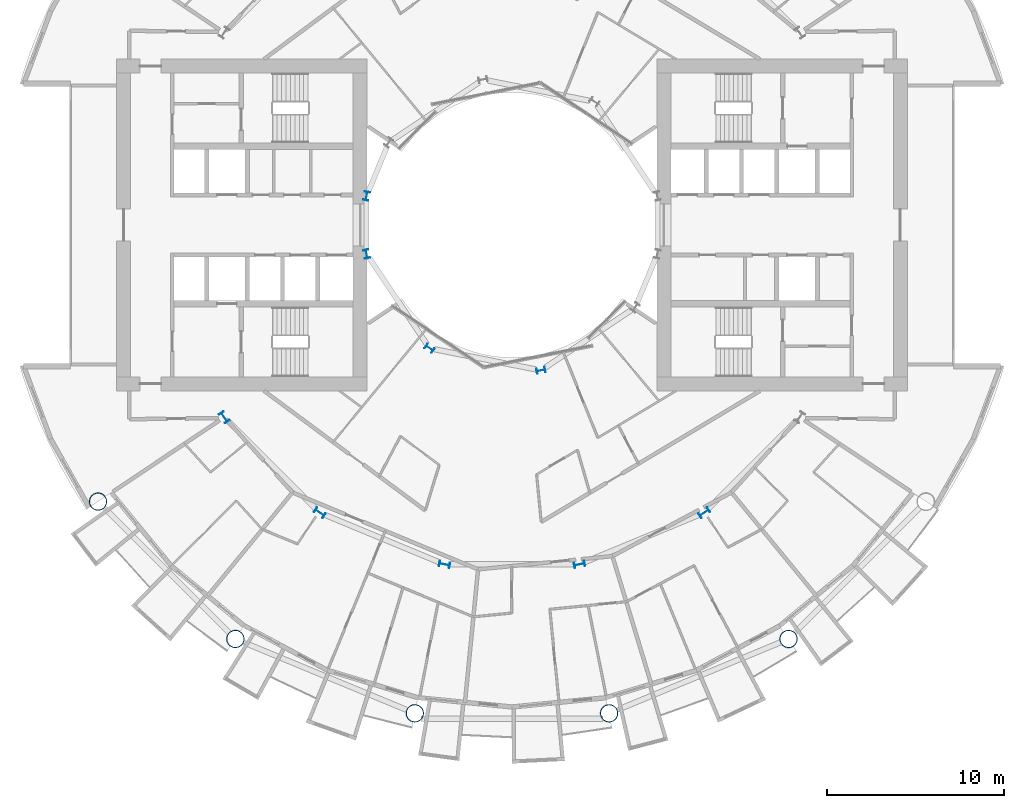
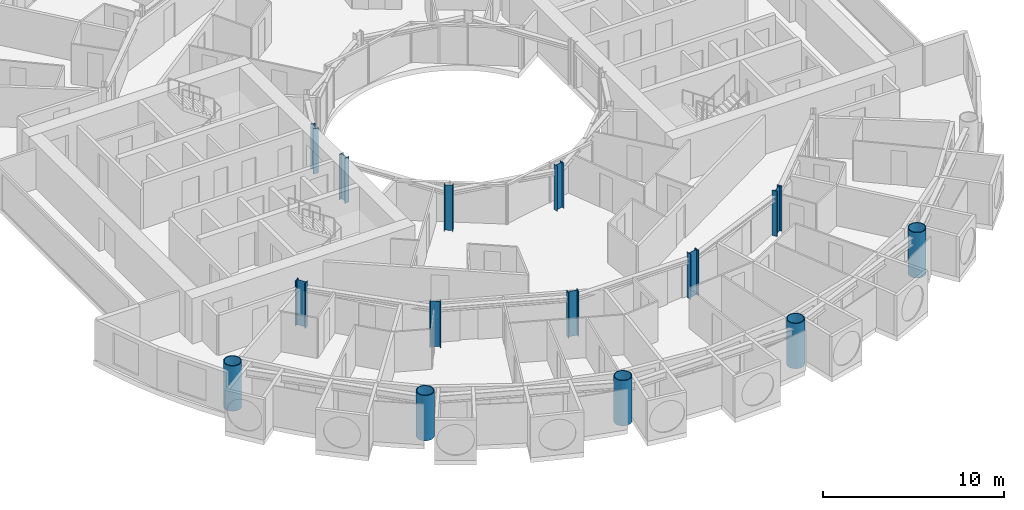
# One storey, part 1 of 26: 14 columns.
"""IFC4 building model written with IfcOpenShell, lengths in metres."""

from ifc_helpers import new_model, si_unit, direction, frame, origin, origin_2d, place, context, subcontext, project, spatial, hollow_circle, i_section, extrude, material, material_profile, profile_set, type_object, element, save


model = new_model("IFC4")

# Units and contexts
model_context = context("Model", 3, precision=1e-05, world=origin(), true_north=direction((0.0, 1.0)))
body_context = subcontext(model_context, "Body", "Model", "MODEL_VIEW")
ifc_project = project(units=[si_unit("LENGTHUNIT", "METRE"), si_unit("AREAUNIT", "SQUARE_METRE"), si_unit("VOLUMEUNIT", "CUBIC_METRE"), si_unit("PLANEANGLEUNIT", "RADIAN"), si_unit("MASSUNIT", "GRAM", prefix="KILO")], contexts=[model_context])

# Site, building, storey
site_placement = place(None, origin())
site = spatial("IfcSite", under=ifc_project, at=site_placement, CompositionType="ELEMENT")
building_placement = place(site_placement, origin())
building = spatial("IfcBuilding", under=site, at=building_placement, Name="Maasbend Ring Residences", CompositionType="ELEMENT")
storey_placement = place(building_placement, frame((0.0, 0.0, 47.199951171875)))
storey = spatial("IfcBuildingStorey", under=building, at=storey_placement, Name="L13", CompositionType="ELEMENT", Elevation=47.199951171875)

# Columns
ifc_material_1 = material(Name="Composite concrete-filled steel tube S460NH / C80/95", Category="concrete")
ifc_material_profile_1 = material_profile(ifc_material_1, hollow_circle(Radius=0.508056640625, WallThickness=0.050048828125, at=origin_2d()), Name="Composite tube column CHS 1016x50")
ifc_profile_set_1 = profile_set([ifc_material_profile_1], Name="Composite concrete-filled steel tube S460NH / C80/95")
column_type_1 = type_object("IfcColumnType", Name="Composite tube column CHS 1016x50", PredefinedType="COLUMN", material=ifc_profile_set_1)
for number, where, z_axis, x_axis, name in (
    (1, (-23.447509765625, -15.6669921875, 0.0), (0.0, 0.0, 1.0), (1.0, 0.0, 0.0), "Outer column R10"),
    (2, (-15.6669921875, -23.447509765625, 0.0), (0.0, 0.0, 1.0), (1.0, 0.0, 0.0), "Outer column R11"),
    (3, (-5.50146484375, -27.658203125, 0.0), (0.0, 0.0, 1.0), (1.0, 0.0, 0.0), "Outer column R12"),
    (4, (5.50146484375, -27.658203125, 0.0), (0.0, 0.0, 1.0), (1.0, 0.0, 0.0), "Outer column R13"),
    (5, (15.6669921875, -23.447509765625, 0.0), (0.0, 0.0, 1.0), (1.0, 0.0, 0.0), "Outer column R14"),
):
    element("IfcColumn", number, at=place(storey_placement, frame(where, z_axis=z_axis, x_axis=x_axis)), inside=storey, type_object=column_type_1, Name=name, PredefinedType="COLUMN", context=body_context, shape_type="SweptSolid", body=[
        extrude(hollow_circle(Radius=0.508056640625, WallThickness=0.050048828125, at=origin_2d()), origin(), (0.0, 0.0, 1.0), 3.050048828125),
    ])
ifc_material_2 = material(Name="Steel S355J2", Category="steel")
ifc_material_profile_2 = material_profile(ifc_material_2, i_section(OverallWidth=0.300048828125, OverallDepth=0.5, WebThickness=0.014404296875, FlangeThickness=0.028076171875, FilletRadius=0.027099609375, at=origin_2d()), Name="HEB 500")
ifc_profile_set_2 = profile_set([ifc_material_profile_2], Name="Steel S355J2")
column_type_2 = type_object("IfcColumnType", Name="Steel column HEB 500", PredefinedType="COLUMN", material=ifc_profile_set_2)
for number, where, z_axis, x_axis, name in (
    (6, (-8.238525390625, 1.638916015625, 0.0), (0.0, 0.0, 1.0), (-0.980785280403, 0.195090322016, 0.0), "Well ring column R8"),
    (7, (-8.238525390625, -1.638916015625, 0.0), (0.0, 0.0, 1.0), (-0.980785280403, -0.195090322016, 0.0), "Well ring column R9"),
    (8, (-4.666748046875, -6.984375, 0.0), (0.0, 0.0, 1.0), (-0.55557023302, -0.831469612303, 0.0), "Well ring column R11"),
    (9, (1.638916015625, -8.238525390625, 0.0), (0.0, 0.0, 1.0), (0.195090322016, -0.980785280403, 0.0), "Well ring column R13"),
):
    element("IfcColumn", number, at=place(storey_placement, frame(where, z_axis=z_axis, x_axis=x_axis)), inside=storey, type_object=column_type_2, Name=name, PredefinedType="COLUMN", context=body_context, shape_type="SweptSolid", body=[
        extrude(i_section(OverallWidth=0.300048828125, OverallDepth=0.5, WebThickness=0.014404296875, FlangeThickness=0.028076171875, FilletRadius=0.027099609375, at=origin_2d()), origin(), (0.0, 0.0, 1.0), 3.050048828125),
    ])
ifc_material_3 = material(Name="Steel S460M", Category="steel")
ifc_material_profile_3 = material_profile(ifc_material_3, i_section(OverallWidth=0.304931640625, OverallDepth=0.6201171875, WebThickness=0.02099609375, FlangeThickness=0.0400390625, FilletRadius=0.027099609375, at=origin_2d()), Name="HEM 600")
ifc_profile_set_3 = profile_set([ifc_material_profile_3], Name="Steel S460M")
column_type_3 = type_object("IfcColumnType", Name="Steel column HEM 600", PredefinedType="COLUMN", material=ifc_profile_set_3)
for number, where, z_axis, x_axis, name in (
    (10, (-16.296875, -10.88916015625, 0.0), (0.0, 0.0, 1.0), (-0.831469612303, -0.55557023302, 0.0), "Corridor ring column R10"),
    (11, (-10.88916015625, -16.296875, 0.0), (0.0, 0.0, 1.0), (-0.55557023302, -0.831469612303, 0.0), "Corridor ring column R11"),
    (12, (-3.82373046875, -19.223388671875, 0.0), (0.0, 0.0, 1.0), (-0.195090322016, -0.980785280403, 0.0), "Corridor ring column R12"),
    (13, (3.82373046875, -19.223388671875, 0.0), (0.0, 0.0, 1.0), (0.195090322016, -0.980785280403, 0.0), "Corridor ring column R13"),
    (14, (10.88916015625, -16.296875, 0.0), (0.0, 0.0, 1.0), (0.55557023302, -0.831469612303, 0.0), "Corridor ring column R14"),
):
    element("IfcColumn", number, at=place(storey_placement, frame(where, z_axis=z_axis, x_axis=x_axis)), inside=storey, type_object=column_type_3, Name=name, PredefinedType="COLUMN", context=body_context, shape_type="SweptSolid", body=[
        extrude(i_section(OverallWidth=0.304931640625, OverallDepth=0.6201171875, WebThickness=0.02099609375, FlangeThickness=0.0400390625, FilletRadius=0.027099609375, at=origin_2d()), origin(), (0.0, 0.0, 1.0), 3.050048828125),
    ])

save(model, "model.ifc")
